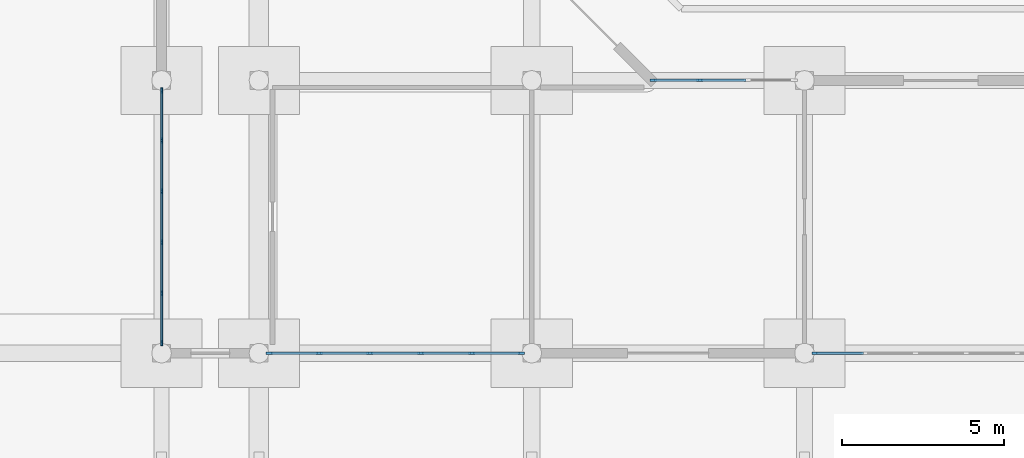
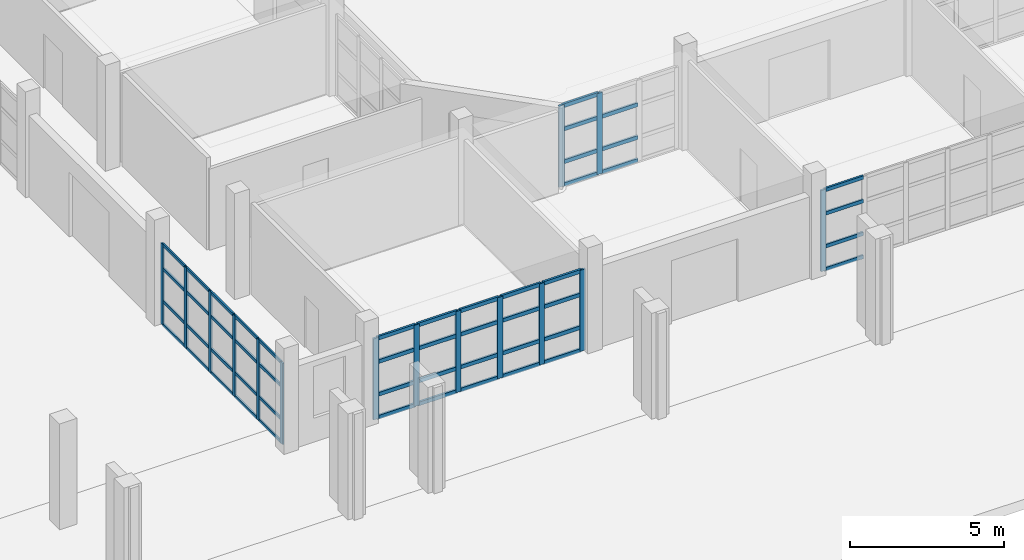
# One storey, part 20 of 88: 66 members, 4 elements without a shape of their own.
"""IFC4 building model written with IfcOpenShell, lengths in metres."""

from ifc_helpers import new_model, si_unit, direction, frame, origin, origin_2d, place, context, subcontext, project, spatial, rectangle, extrude, material, material_profile, profile_set, type_object, element, aggregate, save


model = new_model("IFC4")

# Units and contexts
model_context = context("Model", 3, precision=1e-05, world=origin(), true_north=direction((0.0, 1.0)))
body_context = subcontext(model_context, "Body", "Model", "MODEL_VIEW")
ifc_project = project(units=[si_unit("LENGTHUNIT", "METRE"), si_unit("AREAUNIT", "SQUARE_METRE"), si_unit("VOLUMEUNIT", "CUBIC_METRE"), si_unit("PLANEANGLEUNIT", "RADIAN"), si_unit("MASSUNIT", "GRAM", prefix="KILO")], contexts=[model_context])

# Site, building, storey
site_placement = place(None, origin())
site = spatial("IfcSite", under=ifc_project, at=site_placement, CompositionType="ELEMENT")
building_placement = place(site_placement, origin())
building = spatial("IfcBuilding", under=site, at=building_placement, Name="Vanh Quang Courtyard School", CompositionType="ELEMENT")
storey_placement = place(building_placement, origin())
storey = spatial("IfcBuildingStorey", under=building, at=storey_placement, Name="L00", CompositionType="ELEMENT", Elevation=0.0)

# Curtain wall, members
ifc_material_1 = material(Name="Thermally broken aluminium unitised curtain wall", Category="aluminium")
curtain_wall_type_1 = type_object("IfcCurtainWallType", Name="CW-SYS-01", PredefinedType="NOTDEFINED", material=ifc_material_1)
curtain_wall_1_placement = place(storey_placement, origin())
curtain_wall_1 = element("IfcCurtainWall", 1, at=curtain_wall_1_placement, inside=storey, type_object=curtain_wall_type_1, Name="Curtain Wall CW-01 (L00)", PredefinedType="NOTDEFINED")
ifc_material_2 = material(Name="Anodised aluminium 6063-T6", Category="aluminium")
ifc_material_profile_1 = material_profile(ifc_material_2, rectangle(XDim=0.06005859375, YDim=0.159912109375, at=origin_2d()), Name="ALU-MUL 60x160")
ifc_profile_set_1 = profile_set([ifc_material_profile_1], Name="Anodised aluminium 6063-T6")
member_type_1 = type_object("IfcMemberType", Name="CW-MUL-60x160", PredefinedType="MULLION", material=ifc_profile_set_1)
member_1_placement = place(storey_placement, frame((74.39990234375, 4.512939453125, 0.0), z_axis=(0.0, 0.0, 1.0), x_axis=(-1.0, 0.0, 0.0)))
member_1 = element("IfcMember", 2, at=member_1_placement, type_object=member_type_1, Name="CW-01 mullion 1", PredefinedType="MULLION", context=body_context, shape_type="SweptSolid", body=[
    extrude(rectangle(XDim=0.06005859375, YDim=0.159912109375, at=origin_2d()), origin(), (0.0, 0.0, 1.0), 3.219970703125),
])
member_2_placement = place(storey_placement, frame((74.39990234375, 6.0498046875, 0.0), z_axis=(0.0, 0.0, 1.0), x_axis=(-1.0, 0.0, 0.0)))
member_2 = element("IfcMember", 3, at=member_2_placement, type_object=member_type_1, Name="CW-01 mullion 2", PredefinedType="MULLION", context=body_context, shape_type="SweptSolid", body=[
    extrude(rectangle(XDim=0.06005859375, YDim=0.159912109375, at=origin_2d()), origin(), (0.0, 0.0, 1.0), 3.219970703125),
])
member_3_placement = place(storey_placement, frame((74.39990234375, 7.61669921875, 0.0), z_axis=(0.0, 0.0, 1.0), x_axis=(-1.0, 0.0, 0.0)))
member_3 = element("IfcMember", 4, at=member_3_placement, type_object=member_type_1, Name="CW-01 mullion 3", PredefinedType="MULLION", context=body_context, shape_type="SweptSolid", body=[
    extrude(rectangle(XDim=0.06005859375, YDim=0.159912109375, at=origin_2d()), origin(), (0.0, 0.0, 1.0), 3.219970703125),
])
member_4_placement = place(storey_placement, frame((74.39990234375, 9.183349609375, 0.0), z_axis=(0.0, 0.0, 1.0), x_axis=(-1.0, 0.0, 0.0)))
member_4 = element("IfcMember", 5, at=member_4_placement, type_object=member_type_1, Name="CW-01 mullion 4", PredefinedType="MULLION", context=body_context, shape_type="SweptSolid", body=[
    extrude(rectangle(XDim=0.06005859375, YDim=0.159912109375, at=origin_2d()), origin(), (0.0, 0.0, 1.0), 3.219970703125),
])
member_5_placement = place(storey_placement, frame((74.39990234375, 10.750244140625, 0.0), z_axis=(0.0, 0.0, 1.0), x_axis=(-1.0, 0.0, 0.0)))
member_5 = element("IfcMember", 6, at=member_5_placement, type_object=member_type_1, Name="CW-01 mullion 5", PredefinedType="MULLION", context=body_context, shape_type="SweptSolid", body=[
    extrude(rectangle(XDim=0.06005859375, YDim=0.159912109375, at=origin_2d()), origin(), (0.0, 0.0, 1.0), 3.219970703125),
])
member_6_placement = place(storey_placement, frame((74.39990234375, 12.287109375, 0.0), z_axis=(0.0, 0.0, 1.0), x_axis=(-1.0, 0.0, 0.0)))
member_6 = element("IfcMember", 7, at=member_6_placement, type_object=member_type_1, Name="CW-01 mullion 6", PredefinedType="MULLION", context=body_context, shape_type="SweptSolid", body=[
    extrude(rectangle(XDim=0.06005859375, YDim=0.159912109375, at=origin_2d()), origin(), (0.0, 0.0, 1.0), 3.219970703125),
])

# Curtain wall, member
curtain_wall_2_placement = place(storey_placement, origin())
curtain_wall_2 = element("IfcCurtainWall", 8, at=curtain_wall_2_placement, inside=storey, type_object=curtain_wall_type_1, Name="Curtain Wall CW-01 (L00)", PredefinedType="NOTDEFINED")
ifc_material_profile_2 = material_profile(ifc_material_2, rectangle(XDim=0.070068359375, YDim=0.179931640625, at=origin_2d()), Name="ALU-MUL 70x180")
ifc_profile_set_2 = profile_set([ifc_material_profile_2], Name="Anodised aluminium 6063-T6")
member_type_2 = type_object("IfcMemberType", Name="CW-MUL-70x180", PredefinedType="MULLION", material=ifc_profile_set_2)
member_7_placement = place(storey_placement, frame((94.51806640625, 4.199951171875, 0.0), z_axis=(0.0, 0.0, 1.0), x_axis=(0.0, -1.0, 0.0)))
member_7 = element("IfcMember", 9, at=member_7_placement, type_object=member_type_2, Name="CW-01 mullion 6", PredefinedType="MULLION", context=body_context, shape_type="SweptSolid", body=[
    extrude(rectangle(XDim=0.070068359375, YDim=0.179931640625, at=origin_2d()), origin(), (0.0, 0.0, 1.0), 3.219970703125),
])

# Curtain wall, members
curtain_wall_3_placement = place(storey_placement, origin())
curtain_wall_3 = element("IfcCurtainWall", 10, at=curtain_wall_3_placement, inside=storey, type_object=curtain_wall_type_1, Name="Curtain Wall CW-01 (L00)", PredefinedType="NOTDEFINED")
ifc_material_profile_3 = material_profile(ifc_material_2, rectangle(XDim=0.080078125, YDim=0.199951171875, at=origin_2d()), Name="ALU-MUL 80x200")
ifc_profile_set_3 = profile_set([ifc_material_profile_3], Name="Anodised aluminium 6063-T6")
member_type_3 = type_object("IfcMemberType", Name="CW-MUL-80x200", PredefinedType="MULLION", material=ifc_profile_set_3)
member_8_placement = place(storey_placement, frame((85.47705078125, 4.199951171875, 0.0), z_axis=(0.0, 0.0, 1.0), x_axis=(0.0, -1.0, 0.0)))
member_8 = element("IfcMember", 11, at=member_8_placement, type_object=member_type_3, Name="CW-01 mullion 1", PredefinedType="MULLION", context=body_context, shape_type="SweptSolid", body=[
    extrude(rectangle(XDim=0.080078125, YDim=0.199951171875, at=origin_2d()), origin(), (0.0, 0.0, 1.0), 3.219970703125),
])
member_9_placement = place(storey_placement, frame((83.9501953125, 4.199951171875, 0.0), z_axis=(0.0, 0.0, 1.0), x_axis=(0.0, -1.0, 0.0)))
member_9 = element("IfcMember", 12, at=member_9_placement, type_object=member_type_3, Name="CW-01 mullion 2", PredefinedType="MULLION", context=body_context, shape_type="SweptSolid", body=[
    extrude(rectangle(XDim=0.080078125, YDim=0.199951171875, at=origin_2d()), origin(), (0.0, 0.0, 1.0), 3.219970703125),
])
member_10_placement = place(storey_placement, frame((82.38330078125, 4.199951171875, 0.0), z_axis=(0.0, 0.0, 1.0), x_axis=(0.0, -1.0, 0.0)))
member_10 = element("IfcMember", 13, at=member_10_placement, type_object=member_type_3, Name="CW-01 mullion 3", PredefinedType="MULLION", context=body_context, shape_type="SweptSolid", body=[
    extrude(rectangle(XDim=0.080078125, YDim=0.199951171875, at=origin_2d()), origin(), (0.0, 0.0, 1.0), 3.219970703125),
])
member_11_placement = place(storey_placement, frame((80.816650390625, 4.199951171875, 0.0), z_axis=(0.0, 0.0, 1.0), x_axis=(0.0, -1.0, 0.0)))
member_11 = element("IfcMember", 14, at=member_11_placement, type_object=member_type_3, Name="CW-01 mullion 4", PredefinedType="MULLION", context=body_context, shape_type="SweptSolid", body=[
    extrude(rectangle(XDim=0.080078125, YDim=0.199951171875, at=origin_2d()), origin(), (0.0, 0.0, 1.0), 3.219970703125),
])
member_12_placement = place(storey_placement, frame((79.249755859375, 4.199951171875, 0.0), z_axis=(0.0, 0.0, 1.0), x_axis=(0.0, -1.0, 0.0)))
member_12 = element("IfcMember", 15, at=member_12_placement, type_object=member_type_3, Name="CW-01 mullion 5", PredefinedType="MULLION", context=body_context, shape_type="SweptSolid", body=[
    extrude(rectangle(XDim=0.080078125, YDim=0.199951171875, at=origin_2d()), origin(), (0.0, 0.0, 1.0), 3.219970703125),
])
member_13_placement = place(storey_placement, frame((77.722900390625, 4.199951171875, 0.0), z_axis=(0.0, 0.0, 1.0), x_axis=(0.0, -1.0, 0.0)))
member_13 = element("IfcMember", 16, at=member_13_placement, type_object=member_type_3, Name="CW-01 mullion 6", PredefinedType="MULLION", context=body_context, shape_type="SweptSolid", body=[
    extrude(rectangle(XDim=0.080078125, YDim=0.199951171875, at=origin_2d()), origin(), (0.0, 0.0, 1.0), 3.219970703125),
])

curtain_wall_type_2 = type_object("IfcCurtainWallType", Name="CW-SYS-10", PredefinedType="NOTDEFINED", material=ifc_material_1)
curtain_wall_4_placement = place(storey_placement, origin())
curtain_wall_4 = element("IfcCurtainWall", 17, at=curtain_wall_4_placement, inside=storey, type_object=curtain_wall_type_2, Name="Curtain Wall CW-10 (L00)", PredefinedType="NOTDEFINED")
member_14_placement = place(storey_placement, frame((89.535888671875, 12.60009765625, 0.0), z_axis=(0.0, 0.0, 1.0), x_axis=(0.0, 1.0, 0.0)))
member_14 = element("IfcMember", 18, at=member_14_placement, type_object=member_type_3, Name="CW-10 mullion 1", PredefinedType="MULLION", context=body_context, shape_type="SweptSolid", body=[
    extrude(rectangle(XDim=0.080078125, YDim=0.199951171875, at=origin_2d()), origin(), (0.0, 0.0, 1.0), 3.219970703125),
])
member_15_placement = place(storey_placement, frame((90.9697265625, 12.60009765625, 0.0), z_axis=(0.0, 0.0, 1.0), x_axis=(0.0, 1.0, 0.0)))
member_15 = element("IfcMember", 19, at=member_15_placement, type_object=member_type_3, Name="CW-10 mullion 2", PredefinedType="MULLION", context=body_context, shape_type="SweptSolid", body=[
    extrude(rectangle(XDim=0.080078125, YDim=0.199951171875, at=origin_2d()), origin(), (0.0, 0.0, 1.0), 3.219970703125),
])

# Member
ifc_material_profile_4 = material_profile(ifc_material_2, rectangle(XDim=0.06005859375, YDim=0.1201171875, at=origin_2d()), Name="ALU-TRN 60x120")
ifc_profile_set_4 = profile_set([ifc_material_profile_4], Name="Anodised aluminium 6063-T6")
member_type_4 = type_object("IfcMemberType", Name="CW-TRN-60x120", PredefinedType="USERDEFINED", material=ifc_profile_set_4)
member_16_placement = place(storey_placement, frame((74.39990234375, 4.54296875, 0.030029296875), z_axis=(0.0, 1.0, 0.0), x_axis=(-1.0, 0.0, 0.0)))
member_16 = element("IfcMember", 20, at=member_16_placement, type_object=member_type_4, Name="CW-01 transom 1.1", ObjectType="TRANSOM", PredefinedType="USERDEFINED", context=body_context, shape_type="SweptSolid", body=[
    extrude(rectangle(XDim=0.06005859375, YDim=0.1201171875, at=origin_2d()), origin(), (0.0, 0.0, 1.0), 1.476806640625),
])

member_17_placement = place(storey_placement, frame((74.39990234375, 4.54296875, 0.949951171875), z_axis=(0.0, 1.0, 0.0), x_axis=(-1.0, 0.0, 0.0)))
member_17 = element("IfcMember", 21, at=member_17_placement, type_object=member_type_4, Name="CW-01 transom 1.2", ObjectType="TRANSOM", PredefinedType="USERDEFINED", context=body_context, shape_type="SweptSolid", body=[
    extrude(rectangle(XDim=0.06005859375, YDim=0.1201171875, at=origin_2d()), origin(), (0.0, 0.0, 1.0), 1.476806640625),
])

member_18_placement = place(storey_placement, frame((74.39990234375, 4.54296875, 2.25), z_axis=(0.0, 1.0, 0.0), x_axis=(-1.0, 0.0, 0.0)))
member_18 = element("IfcMember", 22, at=member_18_placement, type_object=member_type_4, Name="CW-01 transom 1.3", ObjectType="TRANSOM", PredefinedType="USERDEFINED", context=body_context, shape_type="SweptSolid", body=[
    extrude(rectangle(XDim=0.06005859375, YDim=0.1201171875, at=origin_2d()), origin(), (0.0, 0.0, 1.0), 1.476806640625),
])

member_19_placement = place(storey_placement, frame((74.39990234375, 4.54296875, 3.18994140625), z_axis=(0.0, 1.0, 0.0), x_axis=(-1.0, 0.0, 0.0)))
member_19 = element("IfcMember", 23, at=member_19_placement, type_object=member_type_4, Name="CW-01 transom 1.4", ObjectType="TRANSOM", PredefinedType="USERDEFINED", context=body_context, shape_type="SweptSolid", body=[
    extrude(rectangle(XDim=0.06005859375, YDim=0.1201171875, at=origin_2d()), origin(), (0.0, 0.0, 1.0), 1.476806640625),
])

member_20_placement = place(storey_placement, frame((74.39990234375, 6.079833984375, 0.030029296875), z_axis=(0.0, 1.0, 0.0), x_axis=(-1.0, 0.0, 0.0)))
member_20 = element("IfcMember", 24, at=member_20_placement, type_object=member_type_4, Name="CW-01 transom 2.1", ObjectType="TRANSOM", PredefinedType="USERDEFINED", context=body_context, shape_type="SweptSolid", body=[
    extrude(rectangle(XDim=0.06005859375, YDim=0.1201171875, at=origin_2d()), origin(), (0.0, 0.0, 1.0), 1.5068359375),
])

member_21_placement = place(storey_placement, frame((74.39990234375, 6.079833984375, 0.949951171875), z_axis=(0.0, 1.0, 0.0), x_axis=(-1.0, 0.0, 0.0)))
member_21 = element("IfcMember", 25, at=member_21_placement, type_object=member_type_4, Name="CW-01 transom 2.2", ObjectType="TRANSOM", PredefinedType="USERDEFINED", context=body_context, shape_type="SweptSolid", body=[
    extrude(rectangle(XDim=0.06005859375, YDim=0.1201171875, at=origin_2d()), origin(), (0.0, 0.0, 1.0), 1.5068359375),
])

member_22_placement = place(storey_placement, frame((74.39990234375, 6.079833984375, 2.25), z_axis=(0.0, 1.0, 0.0), x_axis=(-1.0, 0.0, 0.0)))
member_22 = element("IfcMember", 26, at=member_22_placement, type_object=member_type_4, Name="CW-01 transom 2.3", ObjectType="TRANSOM", PredefinedType="USERDEFINED", context=body_context, shape_type="SweptSolid", body=[
    extrude(rectangle(XDim=0.06005859375, YDim=0.1201171875, at=origin_2d()), origin(), (0.0, 0.0, 1.0), 1.5068359375),
])

member_23_placement = place(storey_placement, frame((74.39990234375, 6.079833984375, 3.18994140625), z_axis=(0.0, 1.0, 0.0), x_axis=(-1.0, 0.0, 0.0)))
member_23 = element("IfcMember", 27, at=member_23_placement, type_object=member_type_4, Name="CW-01 transom 2.4", ObjectType="TRANSOM", PredefinedType="USERDEFINED", context=body_context, shape_type="SweptSolid", body=[
    extrude(rectangle(XDim=0.06005859375, YDim=0.1201171875, at=origin_2d()), origin(), (0.0, 0.0, 1.0), 1.5068359375),
])

member_24_placement = place(storey_placement, frame((74.39990234375, 7.646484375, 0.030029296875), z_axis=(0.0, 1.0, 0.0), x_axis=(-1.0, 0.0, 0.0)))
member_24 = element("IfcMember", 28, at=member_24_placement, type_object=member_type_4, Name="CW-01 transom 3.1", ObjectType="TRANSOM", PredefinedType="USERDEFINED", context=body_context, shape_type="SweptSolid", body=[
    extrude(rectangle(XDim=0.06005859375, YDim=0.1201171875, at=origin_2d()), origin(), (0.0, 0.0, 1.0), 1.5068359375),
])

member_25_placement = place(storey_placement, frame((74.39990234375, 7.646484375, 0.949951171875), z_axis=(0.0, 1.0, 0.0), x_axis=(-1.0, 0.0, 0.0)))
member_25 = element("IfcMember", 29, at=member_25_placement, type_object=member_type_4, Name="CW-01 transom 3.2", ObjectType="TRANSOM", PredefinedType="USERDEFINED", context=body_context, shape_type="SweptSolid", body=[
    extrude(rectangle(XDim=0.06005859375, YDim=0.1201171875, at=origin_2d()), origin(), (0.0, 0.0, 1.0), 1.5068359375),
])

member_26_placement = place(storey_placement, frame((74.39990234375, 7.646484375, 2.25), z_axis=(0.0, 1.0, 0.0), x_axis=(-1.0, 0.0, 0.0)))
member_26 = element("IfcMember", 30, at=member_26_placement, type_object=member_type_4, Name="CW-01 transom 3.3", ObjectType="TRANSOM", PredefinedType="USERDEFINED", context=body_context, shape_type="SweptSolid", body=[
    extrude(rectangle(XDim=0.06005859375, YDim=0.1201171875, at=origin_2d()), origin(), (0.0, 0.0, 1.0), 1.5068359375),
])

member_27_placement = place(storey_placement, frame((74.39990234375, 7.646484375, 3.18994140625), z_axis=(0.0, 1.0, 0.0), x_axis=(-1.0, 0.0, 0.0)))
member_27 = element("IfcMember", 31, at=member_27_placement, type_object=member_type_4, Name="CW-01 transom 3.4", ObjectType="TRANSOM", PredefinedType="USERDEFINED", context=body_context, shape_type="SweptSolid", body=[
    extrude(rectangle(XDim=0.06005859375, YDim=0.1201171875, at=origin_2d()), origin(), (0.0, 0.0, 1.0), 1.5068359375),
])

member_28_placement = place(storey_placement, frame((74.39990234375, 9.21337890625, 0.030029296875), z_axis=(0.0, 1.0, 0.0), x_axis=(-1.0, 0.0, 0.0)))
member_28 = element("IfcMember", 32, at=member_28_placement, type_object=member_type_4, Name="CW-01 transom 4.1", ObjectType="TRANSOM", PredefinedType="USERDEFINED", context=body_context, shape_type="SweptSolid", body=[
    extrude(rectangle(XDim=0.06005859375, YDim=0.1201171875, at=origin_2d()), origin(), (0.0, 0.0, 1.0), 1.5068359375),
])

member_29_placement = place(storey_placement, frame((74.39990234375, 9.21337890625, 0.949951171875), z_axis=(0.0, 1.0, 0.0), x_axis=(-1.0, 0.0, 0.0)))
member_29 = element("IfcMember", 33, at=member_29_placement, type_object=member_type_4, Name="CW-01 transom 4.2", ObjectType="TRANSOM", PredefinedType="USERDEFINED", context=body_context, shape_type="SweptSolid", body=[
    extrude(rectangle(XDim=0.06005859375, YDim=0.1201171875, at=origin_2d()), origin(), (0.0, 0.0, 1.0), 1.5068359375),
])

member_30_placement = place(storey_placement, frame((74.39990234375, 9.21337890625, 2.25), z_axis=(0.0, 1.0, 0.0), x_axis=(-1.0, 0.0, 0.0)))
member_30 = element("IfcMember", 34, at=member_30_placement, type_object=member_type_4, Name="CW-01 transom 4.3", ObjectType="TRANSOM", PredefinedType="USERDEFINED", context=body_context, shape_type="SweptSolid", body=[
    extrude(rectangle(XDim=0.06005859375, YDim=0.1201171875, at=origin_2d()), origin(), (0.0, 0.0, 1.0), 1.5068359375),
])

member_31_placement = place(storey_placement, frame((74.39990234375, 9.21337890625, 3.18994140625), z_axis=(0.0, 1.0, 0.0), x_axis=(-1.0, 0.0, 0.0)))
member_31 = element("IfcMember", 35, at=member_31_placement, type_object=member_type_4, Name="CW-01 transom 4.4", ObjectType="TRANSOM", PredefinedType="USERDEFINED", context=body_context, shape_type="SweptSolid", body=[
    extrude(rectangle(XDim=0.06005859375, YDim=0.1201171875, at=origin_2d()), origin(), (0.0, 0.0, 1.0), 1.5068359375),
])

member_32_placement = place(storey_placement, frame((74.39990234375, 10.7802734375, 0.030029296875), z_axis=(0.0, 1.0, 0.0), x_axis=(-1.0, 0.0, 0.0)))
member_32 = element("IfcMember", 36, at=member_32_placement, type_object=member_type_4, Name="CW-01 transom 5.1", ObjectType="TRANSOM", PredefinedType="USERDEFINED", context=body_context, shape_type="SweptSolid", body=[
    extrude(rectangle(XDim=0.06005859375, YDim=0.1201171875, at=origin_2d()), origin(), (0.0, 0.0, 1.0), 1.476806640625),
])

member_33_placement = place(storey_placement, frame((74.39990234375, 10.7802734375, 0.949951171875), z_axis=(0.0, 1.0, 0.0), x_axis=(-1.0, 0.0, 0.0)))
member_33 = element("IfcMember", 37, at=member_33_placement, type_object=member_type_4, Name="CW-01 transom 5.2", ObjectType="TRANSOM", PredefinedType="USERDEFINED", context=body_context, shape_type="SweptSolid", body=[
    extrude(rectangle(XDim=0.06005859375, YDim=0.1201171875, at=origin_2d()), origin(), (0.0, 0.0, 1.0), 1.476806640625),
])

member_34_placement = place(storey_placement, frame((74.39990234375, 10.7802734375, 2.25), z_axis=(0.0, 1.0, 0.0), x_axis=(-1.0, 0.0, 0.0)))
member_34 = element("IfcMember", 38, at=member_34_placement, type_object=member_type_4, Name="CW-01 transom 5.3", ObjectType="TRANSOM", PredefinedType="USERDEFINED", context=body_context, shape_type="SweptSolid", body=[
    extrude(rectangle(XDim=0.06005859375, YDim=0.1201171875, at=origin_2d()), origin(), (0.0, 0.0, 1.0), 1.476806640625),
])

member_35_placement = place(storey_placement, frame((74.39990234375, 10.7802734375, 3.18994140625), z_axis=(0.0, 1.0, 0.0), x_axis=(-1.0, 0.0, 0.0)))
member_35 = element("IfcMember", 39, at=member_35_placement, type_object=member_type_4, Name="CW-01 transom 5.4", ObjectType="TRANSOM", PredefinedType="USERDEFINED", context=body_context, shape_type="SweptSolid", body=[
    extrude(rectangle(XDim=0.06005859375, YDim=0.1201171875, at=origin_2d()), origin(), (0.0, 0.0, 1.0), 1.476806640625),
])

aggregate(curtain_wall_1, [member_1, member_2, member_3, member_4, member_5, member_6, member_16, member_17, member_18, member_19, member_20, member_21, member_22, member_23, member_24, member_25, member_26, member_27, member_28, member_29, member_30, member_31, member_32, member_33, member_34, member_35])

ifc_material_profile_5 = material_profile(ifc_material_2, rectangle(XDim=0.070068359375, YDim=0.139892578125, at=origin_2d()), Name="ALU-TRN 70x140")
ifc_profile_set_5 = profile_set([ifc_material_profile_5], Name="Anodised aluminium 6063-T6")
member_type_5 = type_object("IfcMemberType", Name="CW-TRN-70x140", PredefinedType="USERDEFINED", material=ifc_profile_set_5)
member_36_placement = place(storey_placement, frame((96.014892578125, 4.199951171875, 0.034912109375), z_axis=(-1.0, 0.0, 0.0), x_axis=(0.0, -1.0, 0.0)))
member_36 = element("IfcMember", 40, at=member_36_placement, type_object=member_type_5, Name="CW-01 transom 5.1", ObjectType="TRANSOM", PredefinedType="USERDEFINED", context=body_context, shape_type="SweptSolid", body=[
    extrude(rectangle(XDim=0.070068359375, YDim=0.139892578125, at=origin_2d()), origin(), (0.0, 0.0, 1.0), 1.4619140625),
])

member_37_placement = place(storey_placement, frame((96.014892578125, 4.199951171875, 0.949951171875), z_axis=(-1.0, 0.0, 0.0), x_axis=(0.0, -1.0, 0.0)))
member_37 = element("IfcMember", 41, at=member_37_placement, type_object=member_type_5, Name="CW-01 transom 5.2", ObjectType="TRANSOM", PredefinedType="USERDEFINED", context=body_context, shape_type="SweptSolid", body=[
    extrude(rectangle(XDim=0.070068359375, YDim=0.139892578125, at=origin_2d()), origin(), (0.0, 0.0, 1.0), 1.4619140625),
])

member_38_placement = place(storey_placement, frame((96.014892578125, 4.199951171875, 2.25), z_axis=(-1.0, 0.0, 0.0), x_axis=(0.0, -1.0, 0.0)))
member_38 = element("IfcMember", 42, at=member_38_placement, type_object=member_type_5, Name="CW-01 transom 5.3", ObjectType="TRANSOM", PredefinedType="USERDEFINED", context=body_context, shape_type="SweptSolid", body=[
    extrude(rectangle(XDim=0.070068359375, YDim=0.139892578125, at=origin_2d()), origin(), (0.0, 0.0, 1.0), 1.4619140625),
])

member_39_placement = place(storey_placement, frame((96.014892578125, 4.199951171875, 3.18505859375), z_axis=(-1.0, 0.0, 0.0), x_axis=(0.0, -1.0, 0.0)))
member_39 = element("IfcMember", 43, at=member_39_placement, type_object=member_type_5, Name="CW-01 transom 5.4", ObjectType="TRANSOM", PredefinedType="USERDEFINED", context=body_context, shape_type="SweptSolid", body=[
    extrude(rectangle(XDim=0.070068359375, YDim=0.139892578125, at=origin_2d()), origin(), (0.0, 0.0, 1.0), 1.4619140625),
])

aggregate(curtain_wall_2, [member_7, member_36, member_37, member_38, member_39])

ifc_material_profile_6 = material_profile(ifc_material_2, rectangle(XDim=0.080078125, YDim=0.14990234375, at=origin_2d()), Name="ALU-TRN 80x150")
ifc_profile_set_6 = profile_set([ifc_material_profile_6], Name="Anodised aluminium 6063-T6")
member_type_6 = type_object("IfcMemberType", Name="CW-TRN-80x150", PredefinedType="USERDEFINED", material=ifc_profile_set_6)
member_40_placement = place(storey_placement, frame((85.43701171875, 4.199951171875, 0.0400390625), z_axis=(-1.0, 0.0, 0.0), x_axis=(0.0, -1.0, 0.0)))
member_40 = element("IfcMember", 44, at=member_40_placement, type_object=member_type_6, Name="CW-01 transom 1.1", ObjectType="TRANSOM", PredefinedType="USERDEFINED", context=body_context, shape_type="SweptSolid", body=[
    extrude(rectangle(XDim=0.080078125, YDim=0.14990234375, at=origin_2d()), origin(), (0.0, 0.0, 1.0), 1.44677734375),
])

member_41_placement = place(storey_placement, frame((85.43701171875, 4.199951171875, 0.949951171875), z_axis=(-1.0, 0.0, 0.0), x_axis=(0.0, -1.0, 0.0)))
member_41 = element("IfcMember", 45, at=member_41_placement, type_object=member_type_6, Name="CW-01 transom 1.2", ObjectType="TRANSOM", PredefinedType="USERDEFINED", context=body_context, shape_type="SweptSolid", body=[
    extrude(rectangle(XDim=0.080078125, YDim=0.14990234375, at=origin_2d()), origin(), (0.0, 0.0, 1.0), 1.44677734375),
])

member_42_placement = place(storey_placement, frame((85.43701171875, 4.199951171875, 2.25), z_axis=(-1.0, 0.0, 0.0), x_axis=(0.0, -1.0, 0.0)))
member_42 = element("IfcMember", 46, at=member_42_placement, type_object=member_type_6, Name="CW-01 transom 1.3", ObjectType="TRANSOM", PredefinedType="USERDEFINED", context=body_context, shape_type="SweptSolid", body=[
    extrude(rectangle(XDim=0.080078125, YDim=0.14990234375, at=origin_2d()), origin(), (0.0, 0.0, 1.0), 1.44677734375),
])

member_43_placement = place(storey_placement, frame((85.43701171875, 4.199951171875, 3.179931640625), z_axis=(-1.0, 0.0, 0.0), x_axis=(0.0, -1.0, 0.0)))
member_43 = element("IfcMember", 47, at=member_43_placement, type_object=member_type_6, Name="CW-01 transom 1.4", ObjectType="TRANSOM", PredefinedType="USERDEFINED", context=body_context, shape_type="SweptSolid", body=[
    extrude(rectangle(XDim=0.080078125, YDim=0.14990234375, at=origin_2d()), origin(), (0.0, 0.0, 1.0), 1.44677734375),
])

member_44_placement = place(storey_placement, frame((83.91015625, 4.199951171875, 0.0400390625), z_axis=(-1.0, 0.0, 0.0), x_axis=(0.0, -1.0, 0.0)))
member_44 = element("IfcMember", 48, at=member_44_placement, type_object=member_type_6, Name="CW-01 transom 2.1", ObjectType="TRANSOM", PredefinedType="USERDEFINED", context=body_context, shape_type="SweptSolid", body=[
    extrude(rectangle(XDim=0.080078125, YDim=0.14990234375, at=origin_2d()), origin(), (0.0, 0.0, 1.0), 1.48681640625),
])

member_45_placement = place(storey_placement, frame((83.91015625, 4.199951171875, 0.949951171875), z_axis=(-1.0, 0.0, 0.0), x_axis=(0.0, -1.0, 0.0)))
member_45 = element("IfcMember", 49, at=member_45_placement, type_object=member_type_6, Name="CW-01 transom 2.2", ObjectType="TRANSOM", PredefinedType="USERDEFINED", context=body_context, shape_type="SweptSolid", body=[
    extrude(rectangle(XDim=0.080078125, YDim=0.14990234375, at=origin_2d()), origin(), (0.0, 0.0, 1.0), 1.48681640625),
])

member_46_placement = place(storey_placement, frame((83.91015625, 4.199951171875, 2.25), z_axis=(-1.0, 0.0, 0.0), x_axis=(0.0, -1.0, 0.0)))
member_46 = element("IfcMember", 50, at=member_46_placement, type_object=member_type_6, Name="CW-01 transom 2.3", ObjectType="TRANSOM", PredefinedType="USERDEFINED", context=body_context, shape_type="SweptSolid", body=[
    extrude(rectangle(XDim=0.080078125, YDim=0.14990234375, at=origin_2d()), origin(), (0.0, 0.0, 1.0), 1.48681640625),
])

member_47_placement = place(storey_placement, frame((83.91015625, 4.199951171875, 3.179931640625), z_axis=(-1.0, 0.0, 0.0), x_axis=(0.0, -1.0, 0.0)))
member_47 = element("IfcMember", 51, at=member_47_placement, type_object=member_type_6, Name="CW-01 transom 2.4", ObjectType="TRANSOM", PredefinedType="USERDEFINED", context=body_context, shape_type="SweptSolid", body=[
    extrude(rectangle(XDim=0.080078125, YDim=0.14990234375, at=origin_2d()), origin(), (0.0, 0.0, 1.0), 1.48681640625),
])

member_48_placement = place(storey_placement, frame((82.343505859375, 4.199951171875, 0.0400390625), z_axis=(-1.0, 0.0, 0.0), x_axis=(0.0, -1.0, 0.0)))
member_48 = element("IfcMember", 52, at=member_48_placement, type_object=member_type_6, Name="CW-01 transom 3.1", ObjectType="TRANSOM", PredefinedType="USERDEFINED", context=body_context, shape_type="SweptSolid", body=[
    extrude(rectangle(XDim=0.080078125, YDim=0.14990234375, at=origin_2d()), origin(), (0.0, 0.0, 1.0), 1.48681640625),
])

member_49_placement = place(storey_placement, frame((82.343505859375, 4.199951171875, 0.949951171875), z_axis=(-1.0, 0.0, 0.0), x_axis=(0.0, -1.0, 0.0)))
member_49 = element("IfcMember", 53, at=member_49_placement, type_object=member_type_6, Name="CW-01 transom 3.2", ObjectType="TRANSOM", PredefinedType="USERDEFINED", context=body_context, shape_type="SweptSolid", body=[
    extrude(rectangle(XDim=0.080078125, YDim=0.14990234375, at=origin_2d()), origin(), (0.0, 0.0, 1.0), 1.48681640625),
])

member_50_placement = place(storey_placement, frame((82.343505859375, 4.199951171875, 2.25), z_axis=(-1.0, 0.0, 0.0), x_axis=(0.0, -1.0, 0.0)))
member_50 = element("IfcMember", 54, at=member_50_placement, type_object=member_type_6, Name="CW-01 transom 3.3", ObjectType="TRANSOM", PredefinedType="USERDEFINED", context=body_context, shape_type="SweptSolid", body=[
    extrude(rectangle(XDim=0.080078125, YDim=0.14990234375, at=origin_2d()), origin(), (0.0, 0.0, 1.0), 1.48681640625),
])

member_51_placement = place(storey_placement, frame((82.343505859375, 4.199951171875, 3.179931640625), z_axis=(-1.0, 0.0, 0.0), x_axis=(0.0, -1.0, 0.0)))
member_51 = element("IfcMember", 55, at=member_51_placement, type_object=member_type_6, Name="CW-01 transom 3.4", ObjectType="TRANSOM", PredefinedType="USERDEFINED", context=body_context, shape_type="SweptSolid", body=[
    extrude(rectangle(XDim=0.080078125, YDim=0.14990234375, at=origin_2d()), origin(), (0.0, 0.0, 1.0), 1.48681640625),
])

member_52_placement = place(storey_placement, frame((80.776611328125, 4.199951171875, 0.0400390625), z_axis=(-1.0, 0.0, 0.0), x_axis=(0.0, -1.0, 0.0)))
member_52 = element("IfcMember", 56, at=member_52_placement, type_object=member_type_6, Name="CW-01 transom 4.1", ObjectType="TRANSOM", PredefinedType="USERDEFINED", context=body_context, shape_type="SweptSolid", body=[
    extrude(rectangle(XDim=0.080078125, YDim=0.14990234375, at=origin_2d()), origin(), (0.0, 0.0, 1.0), 1.48681640625),
])

member_53_placement = place(storey_placement, frame((80.776611328125, 4.199951171875, 0.949951171875), z_axis=(-1.0, 0.0, 0.0), x_axis=(0.0, -1.0, 0.0)))
member_53 = element("IfcMember", 57, at=member_53_placement, type_object=member_type_6, Name="CW-01 transom 4.2", ObjectType="TRANSOM", PredefinedType="USERDEFINED", context=body_context, shape_type="SweptSolid", body=[
    extrude(rectangle(XDim=0.080078125, YDim=0.14990234375, at=origin_2d()), origin(), (0.0, 0.0, 1.0), 1.48681640625),
])

member_54_placement = place(storey_placement, frame((80.776611328125, 4.199951171875, 2.25), z_axis=(-1.0, 0.0, 0.0), x_axis=(0.0, -1.0, 0.0)))
member_54 = element("IfcMember", 58, at=member_54_placement, type_object=member_type_6, Name="CW-01 transom 4.3", ObjectType="TRANSOM", PredefinedType="USERDEFINED", context=body_context, shape_type="SweptSolid", body=[
    extrude(rectangle(XDim=0.080078125, YDim=0.14990234375, at=origin_2d()), origin(), (0.0, 0.0, 1.0), 1.48681640625),
])

member_55_placement = place(storey_placement, frame((80.776611328125, 4.199951171875, 3.179931640625), z_axis=(-1.0, 0.0, 0.0), x_axis=(0.0, -1.0, 0.0)))
member_55 = element("IfcMember", 59, at=member_55_placement, type_object=member_type_6, Name="CW-01 transom 4.4", ObjectType="TRANSOM", PredefinedType="USERDEFINED", context=body_context, shape_type="SweptSolid", body=[
    extrude(rectangle(XDim=0.080078125, YDim=0.14990234375, at=origin_2d()), origin(), (0.0, 0.0, 1.0), 1.48681640625),
])

member_56_placement = place(storey_placement, frame((79.209716796875, 4.199951171875, 0.0400390625), z_axis=(-1.0, 0.0, 0.0), x_axis=(0.0, -1.0, 0.0)))
member_56 = element("IfcMember", 60, at=member_56_placement, type_object=member_type_6, Name="CW-01 transom 5.1", ObjectType="TRANSOM", PredefinedType="USERDEFINED", context=body_context, shape_type="SweptSolid", body=[
    extrude(rectangle(XDim=0.080078125, YDim=0.14990234375, at=origin_2d()), origin(), (0.0, 0.0, 1.0), 1.44677734375),
])

member_57_placement = place(storey_placement, frame((79.209716796875, 4.199951171875, 0.949951171875), z_axis=(-1.0, 0.0, 0.0), x_axis=(0.0, -1.0, 0.0)))
member_57 = element("IfcMember", 61, at=member_57_placement, type_object=member_type_6, Name="CW-01 transom 5.2", ObjectType="TRANSOM", PredefinedType="USERDEFINED", context=body_context, shape_type="SweptSolid", body=[
    extrude(rectangle(XDim=0.080078125, YDim=0.14990234375, at=origin_2d()), origin(), (0.0, 0.0, 1.0), 1.44677734375),
])

member_58_placement = place(storey_placement, frame((79.209716796875, 4.199951171875, 2.25), z_axis=(-1.0, 0.0, 0.0), x_axis=(0.0, -1.0, 0.0)))
member_58 = element("IfcMember", 62, at=member_58_placement, type_object=member_type_6, Name="CW-01 transom 5.3", ObjectType="TRANSOM", PredefinedType="USERDEFINED", context=body_context, shape_type="SweptSolid", body=[
    extrude(rectangle(XDim=0.080078125, YDim=0.14990234375, at=origin_2d()), origin(), (0.0, 0.0, 1.0), 1.44677734375),
])

member_59_placement = place(storey_placement, frame((79.209716796875, 4.199951171875, 3.179931640625), z_axis=(-1.0, 0.0, 0.0), x_axis=(0.0, -1.0, 0.0)))
member_59 = element("IfcMember", 63, at=member_59_placement, type_object=member_type_6, Name="CW-01 transom 5.4", ObjectType="TRANSOM", PredefinedType="USERDEFINED", context=body_context, shape_type="SweptSolid", body=[
    extrude(rectangle(XDim=0.080078125, YDim=0.14990234375, at=origin_2d()), origin(), (0.0, 0.0, 1.0), 1.44677734375),
])

aggregate(curtain_wall_3, [member_8, member_9, member_10, member_11, member_12, member_13, member_40, member_41, member_42, member_43, member_44, member_45, member_46, member_47, member_48, member_49, member_50, member_51, member_52, member_53, member_54, member_55, member_56, member_57, member_58, member_59])

member_60_placement = place(storey_placement, frame((89.575927734375, 12.60009765625, 0.0400390625), z_axis=(1.0, 0.0, 0.0), x_axis=(0.0, 1.0, 0.0)))
member_60 = element("IfcMember", 64, at=member_60_placement, type_object=member_type_6, Name="CW-10 transom 1.1", ObjectType="TRANSOM", PredefinedType="USERDEFINED", context=body_context, shape_type="SweptSolid", body=[
    extrude(rectangle(XDim=0.080078125, YDim=0.14990234375, at=origin_2d()), origin(), (0.0, 0.0, 1.0), 1.353759765625),
])

member_61_placement = place(storey_placement, frame((89.575927734375, 12.60009765625, 0.949951171875), z_axis=(1.0, 0.0, 0.0), x_axis=(0.0, 1.0, 0.0)))
member_61 = element("IfcMember", 65, at=member_61_placement, type_object=member_type_6, Name="CW-10 transom 1.2", ObjectType="TRANSOM", PredefinedType="USERDEFINED", context=body_context, shape_type="SweptSolid", body=[
    extrude(rectangle(XDim=0.080078125, YDim=0.14990234375, at=origin_2d()), origin(), (0.0, 0.0, 1.0), 1.353759765625),
])

member_62_placement = place(storey_placement, frame((89.575927734375, 12.60009765625, 2.25), z_axis=(1.0, 0.0, 0.0), x_axis=(0.0, 1.0, 0.0)))
member_62 = element("IfcMember", 66, at=member_62_placement, type_object=member_type_6, Name="CW-10 transom 1.3", ObjectType="TRANSOM", PredefinedType="USERDEFINED", context=body_context, shape_type="SweptSolid", body=[
    extrude(rectangle(XDim=0.080078125, YDim=0.14990234375, at=origin_2d()), origin(), (0.0, 0.0, 1.0), 1.353759765625),
])

member_63_placement = place(storey_placement, frame((89.575927734375, 12.60009765625, 3.179931640625), z_axis=(1.0, 0.0, 0.0), x_axis=(0.0, 1.0, 0.0)))
member_63 = element("IfcMember", 67, at=member_63_placement, type_object=member_type_6, Name="CW-10 transom 1.4", ObjectType="TRANSOM", PredefinedType="USERDEFINED", context=body_context, shape_type="SweptSolid", body=[
    extrude(rectangle(XDim=0.080078125, YDim=0.14990234375, at=origin_2d()), origin(), (0.0, 0.0, 1.0), 1.353759765625),
])

member_64_placement = place(storey_placement, frame((91.009765625, 12.60009765625, 0.0400390625), z_axis=(1.0, 0.0, 0.0), x_axis=(0.0, 1.0, 0.0)))
member_64 = element("IfcMember", 68, at=member_64_placement, type_object=member_type_6, Name="CW-10 transom 2.1", ObjectType="TRANSOM", PredefinedType="USERDEFINED", context=body_context, shape_type="SweptSolid", body=[
    extrude(rectangle(XDim=0.080078125, YDim=0.14990234375, at=origin_2d()), origin(), (0.0, 0.0, 1.0), 1.3935546875),
])

member_65_placement = place(storey_placement, frame((91.009765625, 12.60009765625, 0.949951171875), z_axis=(1.0, 0.0, 0.0), x_axis=(0.0, 1.0, 0.0)))
member_65 = element("IfcMember", 69, at=member_65_placement, type_object=member_type_6, Name="CW-10 transom 2.2", ObjectType="TRANSOM", PredefinedType="USERDEFINED", context=body_context, shape_type="SweptSolid", body=[
    extrude(rectangle(XDim=0.080078125, YDim=0.14990234375, at=origin_2d()), origin(), (0.0, 0.0, 1.0), 1.3935546875),
])

member_66_placement = place(storey_placement, frame((91.009765625, 12.60009765625, 2.25), z_axis=(1.0, 0.0, 0.0), x_axis=(0.0, 1.0, 0.0)))
member_66 = element("IfcMember", 70, at=member_66_placement, type_object=member_type_6, Name="CW-10 transom 2.3", ObjectType="TRANSOM", PredefinedType="USERDEFINED", context=body_context, shape_type="SweptSolid", body=[
    extrude(rectangle(XDim=0.080078125, YDim=0.14990234375, at=origin_2d()), origin(), (0.0, 0.0, 1.0), 1.3935546875),
])

aggregate(curtain_wall_4, [member_14, member_15, member_60, member_61, member_62, member_63, member_64, member_65, member_66])

save(model, "model.ifc")
